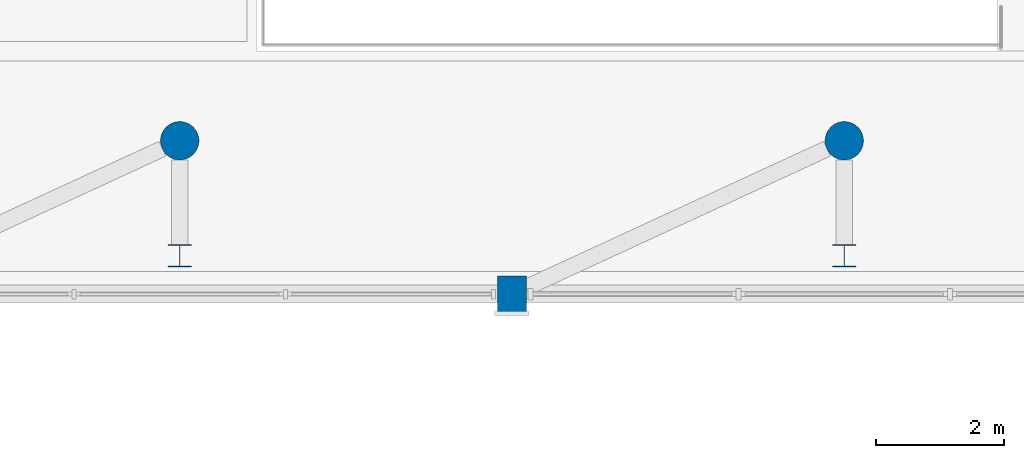
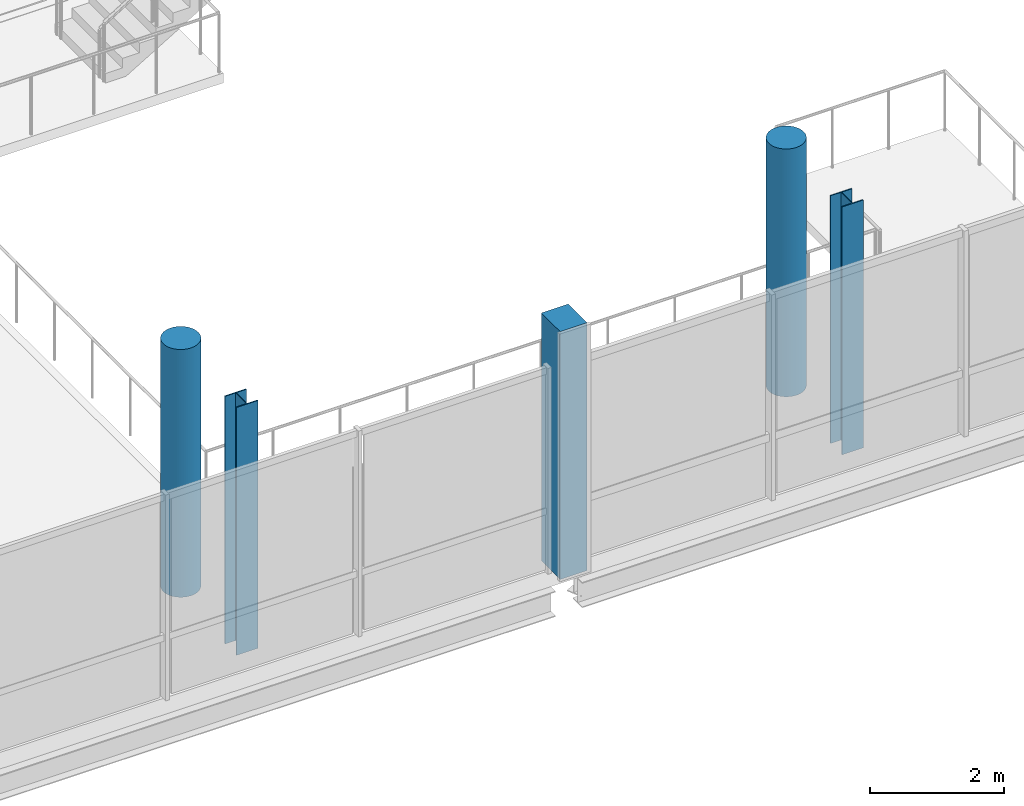
# One storey, part 6 of 95: 5 columns.
"""IFC4 building model written with IfcOpenShell, lengths in metres."""

from ifc_helpers import new_model, si_unit, derived_unit, direction, frame, origin, origin_2d, place, context, subcontext, project, spatial, rectangle, circle, i_section, extrude, material, material_profile, profile_set, type_object, element, save


model = new_model("IFC4")

# Units and contexts
model_context = context("Model", 3, precision=1e-05, world=origin(), true_north=direction((0.0, 1.0)))
body_context = subcontext(model_context, "Body", "Model", "MODEL_VIEW")
ifc_project = project(units=[si_unit("LENGTHUNIT", "METRE"), si_unit("AREAUNIT", "SQUARE_METRE"), si_unit("VOLUMEUNIT", "CUBIC_METRE"), si_unit("PLANEANGLEUNIT", "RADIAN"), si_unit("MASSUNIT", "GRAM", prefix="KILO"), derived_unit("THERMALTRANSMITTANCEUNIT", [(si_unit("POWERUNIT", "WATT"), 1), (si_unit("LENGTHUNIT", "METRE"), -2), (si_unit("THERMODYNAMICTEMPERATUREUNIT", "KELVIN"), -1)])], contexts=[model_context])

# Site, building, storey
site_placement = place(None, origin())
site = spatial("IfcSite", under=ifc_project, at=site_placement, CompositionType="ELEMENT")
building_placement = place(site_placement, origin())
building = spatial("IfcBuilding", under=site, at=building_placement, Name="Braskholm Square Health Centre", CompositionType="ELEMENT")
storey_placement = place(building_placement, frame((0.0, 0.0, 4.800048828125)))
storey = spatial("IfcBuildingStorey", under=building, at=storey_placement, Name="L02", CompositionType="ELEMENT", Elevation=4.800048828125)

# Columns
ifc_material_1 = material(Name="Precast concrete C40/50 architectural white", Category="concrete")
ifc_material_profile_1 = material_profile(ifc_material_1, rectangle(XDim=0.4599609375, YDim=0.56005859375, at=origin_2d()), Name="RC-460X560")
ifc_profile_set_1 = profile_set([ifc_material_profile_1], Name="Precast concrete C40/50 architectural white")
column_type_1 = type_object("IfcColumnType", Name="ColPrecastFrame460x560", PredefinedType="COLUMN", material=ifc_profile_set_1)
column_placement = place(storey_placement, frame((58.0, 87.199951171875, 0.0), z_axis=(0.0, 0.0, 1.0), x_axis=(1.0, 0.0, 0.0)))
element("IfcColumn", 1, at=column_placement, inside=storey, type_object=column_type_1, Name="Column 9/N L02", PredefinedType="COLUMN", context=body_context, shape_type="SweptSolid", body=[
    extrude(rectangle(XDim=0.4599609375, YDim=0.56005859375, at=origin_2d()), origin(), (0.0, 0.0, 1.0), 4.5),
])
ifc_material_2 = material(Name="Concrete C40/50 (f'c = 40 MPa)", Category="concrete")
ifc_material_profile_2 = material_profile(ifc_material_2, circle(Radius=0.300048828125, at=origin_2d()), Name="RC-RND-600")
ifc_profile_set_2 = profile_set([ifc_material_profile_2], Name="Concrete C40/50 (f'c = 40 MPa)")
column_type_2 = type_object("IfcColumnType", Name="ColRoundConcourse600", PredefinedType="COLUMN", material=ifc_profile_set_2)
for number, where, z_axis, x_axis, name in (
    (2, (52.800048828125, 89.60009765625, 0.0), (0.0, 0.0, 1.0), (1.0, 0.0, 0.0), "Column RC01 L02"),
    (3, (63.199951171875, 89.60009765625, 0.0), (0.0, 0.0, 1.0), (1.0, 0.0, 0.0), "Column RC02 L02"),
):
    element("IfcColumn", number, at=place(storey_placement, frame(where, z_axis=z_axis, x_axis=x_axis)), inside=storey, type_object=column_type_2, Name=name, PredefinedType="COLUMN", context=body_context, shape_type="SweptSolid", body=[
        extrude(circle(Radius=0.300048828125, at=origin_2d()), origin(), (0.0, 0.0, 1.0), 4.5),
    ])
ifc_material_3 = material(Name="Steel ASTM A992 Grade 50", Category="steel")
ifc_material_profile_3 = material_profile(ifc_material_3, i_section(OverallWidth=0.368896484375, OverallDepth=0.35595703125, WebThickness=0.01123046875, FlangeThickness=0.01806640625, at=origin_2d()), Name="W14X90")
ifc_profile_set_3 = profile_set([ifc_material_profile_3], Name="Steel ASTM A992 Grade 50")
column_type_3 = type_object("IfcColumnType", Name="ColSteelHallW14X90", PredefinedType="COLUMN", material=ifc_profile_set_3)
for number, where, z_axis, x_axis, name in (
    (4, (52.800048828125, 87.800048828125, 0.0), (0.0, 0.0, 1.0), (1.0, 0.0, 0.0), "Column CS1A L02"),
    (5, (63.199951171875, 87.800048828125, 0.0), (0.0, 0.0, 1.0), (1.0, 0.0, 0.0), "Column CS1B L02"),
):
    element("IfcColumn", number, at=place(storey_placement, frame(where, z_axis=z_axis, x_axis=x_axis)), inside=storey, type_object=column_type_3, Name=name, PredefinedType="COLUMN", context=body_context, shape_type="SweptSolid", body=[
        extrude(i_section(OverallWidth=0.368896484375, OverallDepth=0.35595703125, WebThickness=0.01123046875, FlangeThickness=0.01806640625, at=origin_2d()), origin(), (0.0, 0.0, 1.0), 4.5),
    ])

save(model, "model.ifc")
